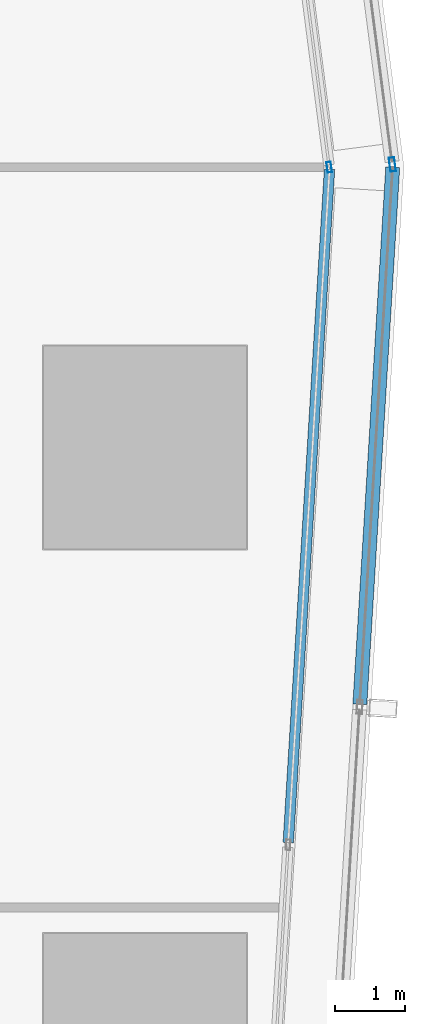
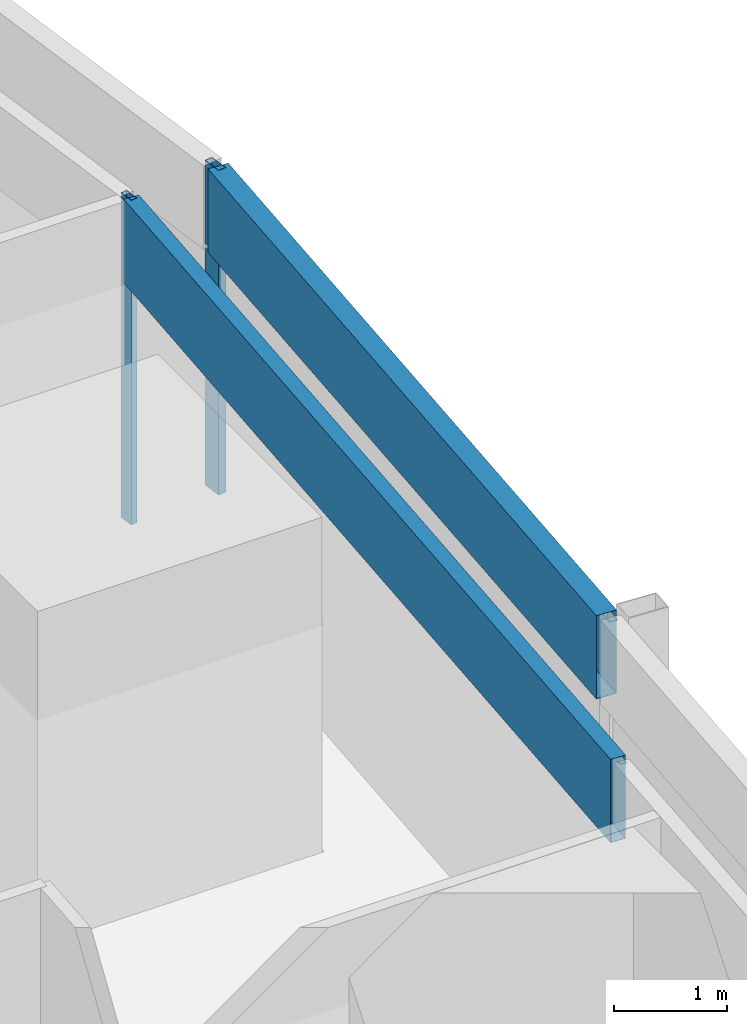
# One storey, part 25 of 40: 4 members, 4 elements without a shape of their own.
"""IFC4 building model written with IfcOpenShell, lengths in metres."""

from ifc_helpers import new_model, si_unit, direction, frame, origin, origin_2d, place, context, subcontext, project, spatial, hollow_rectangle, extrude, material, material_profile, profile_set, type_object, element, aggregate, save


model = new_model("IFC4")

# Units and contexts
model_context = context("Model", 3, precision=1e-05, world=origin(), true_north=direction((0.0, 1.0)))
body_context = subcontext(model_context, "Body", "Model", "MODEL_VIEW")
ifc_project = project(units=[si_unit("LENGTHUNIT", "METRE"), si_unit("AREAUNIT", "SQUARE_METRE"), si_unit("VOLUMEUNIT", "CUBIC_METRE"), si_unit("PLANEANGLEUNIT", "RADIAN"), si_unit("MASSUNIT", "GRAM", prefix="KILO")], contexts=[model_context])

# Site, building, storey
site_placement = place(None, origin())
site = spatial("IfcSite", under=ifc_project, at=site_placement, CompositionType="ELEMENT")
building_placement = place(site_placement, origin())
building = spatial("IfcBuilding", under=site, at=building_placement, Name="Rekha Terrace Tower", CompositionType="ELEMENT")
storey_placement = place(building_placement, frame((0.0, 0.0, 95.300048828125)))
storey = spatial("IfcBuildingStorey", under=building, at=storey_placement, Name="L23", CompositionType="ELEMENT", Elevation=95.300048828125)

# Curtain wall, member
ifc_material_1 = material(Name="Aluminium framing", Category="aluminium")
curtain_wall_type_1 = type_object("IfcCurtainWallType", Name="CW1 double skin inner glazing", PredefinedType="USERDEFINED", material=ifc_material_1)
curtain_wall_1_placement = place(storey_placement, origin())
curtain_wall_1 = element("IfcCurtainWall", 1, at=curtain_wall_1_placement, inside=storey, type_object=curtain_wall_type_1, Name="CW1 double skin inner glazing", ObjectType="DOUBLE SKIN INNER GLAZING", PredefinedType="USERDEFINED")
ifc_material_2 = material(Name="Aluminium mullion section", Category="aluminium")
ifc_material_profile_1 = material_profile(ifc_material_2, hollow_rectangle(XDim=0.06494140625, YDim=0.14990234375, WallThickness=0.00390625, at=origin_2d()), Name="AL RHS 65x150")
ifc_profile_set_1 = profile_set([ifc_material_profile_1], Name="Aluminium mullion section")
member_type_1 = type_object("IfcMemberType", Name="CW1 mullion RHS 65 x 150", PredefinedType="MULLION", material=ifc_profile_set_1)
member_1_placement = place(storey_placement, frame((69.83154296875, 46.00390625, 0.0), z_axis=(0.0, 0.0, 1.0), x_axis=(-0.991629186239, -0.129118383658, 0.0)))
member_1 = element("IfcMember", 2, at=member_1_placement, type_object=member_type_1, Name="CW1 mullion 1", PredefinedType="MULLION", context=body_context, shape_type="SweptSolid", body=[
    extrude(hollow_rectangle(XDim=0.06494140625, YDim=0.14990234375, WallThickness=0.00390625, at=origin_2d()), origin(), (0.0, 0.0, 1.0), 3.5),
])
aggregate(curtain_wall_1, [member_1])

curtain_wall_2_placement = place(storey_placement, origin())
curtain_wall_2 = element("IfcCurtainWall", 3, at=curtain_wall_2_placement, inside=storey, type_object=curtain_wall_type_1, Name="CW1 double skin inner glazing", ObjectType="DOUBLE SKIN INNER GLAZING", PredefinedType="USERDEFINED")
ifc_material_3 = material(Name="Insulated aluminium spandrel box", Category="aluminium")
ifc_material_profile_2 = material_profile(ifc_material_3, hollow_rectangle(XDim=0.14990234375, YDim=0.89990234375, WallThickness=0.0029296875, at=origin_2d()), Name="AL SPANDREL BOX 150x900")
ifc_profile_set_2 = profile_set([ifc_material_profile_2], Name="Insulated aluminium spandrel box")
member_type_2 = type_object("IfcMemberType", Name="CW1 spandrel transom 150 x 900", PredefinedType="USERDEFINED", material=ifc_profile_set_2)
member_2_placement = place(storey_placement, frame((69.246337890625, 36.353271484375, 3.050048828125), z_axis=(0.061158998899, 0.998128036303, 0.0), x_axis=(-0.998128036303, 0.061158998899, 0.0)))
member_2 = element("IfcMember", 4, at=member_2_placement, type_object=member_type_2, Name="CW1 spandrel transom 2", ObjectType="TRANSOM", PredefinedType="USERDEFINED", context=body_context, shape_type="SweptSolid", body=[
    extrude(hollow_rectangle(XDim=0.14990234375, YDim=0.89990234375, WallThickness=0.0029296875, at=origin_2d()), origin(), (0.0, 0.0, 1.0), 9.636474609375),
])
aggregate(curtain_wall_2, [member_2])

curtain_wall_type_2 = type_object("IfcCurtainWallType", Name="CW2 double skin outer glazing", PredefinedType="USERDEFINED", material=ifc_material_1)
curtain_wall_3_placement = place(storey_placement, origin())
curtain_wall_3 = element("IfcCurtainWall", 5, at=curtain_wall_3_placement, inside=storey, type_object=curtain_wall_type_2, Name="CW2 double skin outer glazing", ObjectType="DOUBLE SKIN OUTER GLAZING", PredefinedType="USERDEFINED")
ifc_material_profile_3 = material_profile(ifc_material_2, hollow_rectangle(XDim=0.080078125, YDim=0.199951171875, WallThickness=0.00390625, at=origin_2d()), Name="AL RHS 80x200")
ifc_profile_set_3 = profile_set([ifc_material_profile_3], Name="Aluminium mullion section")
member_type_3 = type_object("IfcMemberType", Name="CW2 mullion RHS 80 x 200", PredefinedType="MULLION", material=ifc_profile_set_3)
member_3_placement = place(storey_placement, frame((70.734130859375, 46.042236328125, 0.0), z_axis=(0.0, 0.0, 1.0), x_axis=(-0.991629186244, -0.129118383623, 0.0)))
member_3 = element("IfcMember", 6, at=member_3_placement, type_object=member_type_3, Name="CW2 mullion 1", PredefinedType="MULLION", context=body_context, shape_type="SweptSolid", body=[
    extrude(hollow_rectangle(XDim=0.080078125, YDim=0.199951171875, WallThickness=0.00390625, at=origin_2d()), origin(), (0.0, 0.0, 1.0), 3.5),
])
aggregate(curtain_wall_3, [member_3])

curtain_wall_4_placement = place(storey_placement, origin())
curtain_wall_4 = element("IfcCurtainWall", 7, at=curtain_wall_4_placement, inside=storey, type_object=curtain_wall_type_2, Name="CW2 double skin outer glazing", ObjectType="DOUBLE SKIN OUTER GLAZING", PredefinedType="USERDEFINED")
ifc_material_profile_4 = material_profile(ifc_material_3, hollow_rectangle(XDim=0.199951171875, YDim=0.89990234375, WallThickness=0.0029296875, at=origin_2d()), Name="AL SPANDREL BOX 200x900")
ifc_profile_set_4 = profile_set([ifc_material_profile_4], Name="Insulated aluminium spandrel box")
member_type_4 = type_object("IfcMemberType", Name="CW2 spandrel transom 200 x 900", PredefinedType="USERDEFINED", material=ifc_profile_set_4)
member_4_placement = place(storey_placement, frame((70.269287109375, 38.330322265625, 3.050048828125), z_axis=(0.061142352683, 0.998129056139, 0.0), x_axis=(-0.998129056139, 0.061142352683, 0.0)))
member_4 = element("IfcMember", 8, at=member_4_placement, type_object=member_type_4, Name="CW2 spandrel transom 4", ObjectType="TRANSOM", PredefinedType="USERDEFINED", context=body_context, shape_type="SweptSolid", body=[
    extrude(hollow_rectangle(XDim=0.199951171875, YDim=0.89990234375, WallThickness=0.0029296875, at=origin_2d()), origin(), (0.0, 0.0, 1.0), 7.6865234375),
])
aggregate(curtain_wall_4, [member_4])

save(model, "model.ifc")
